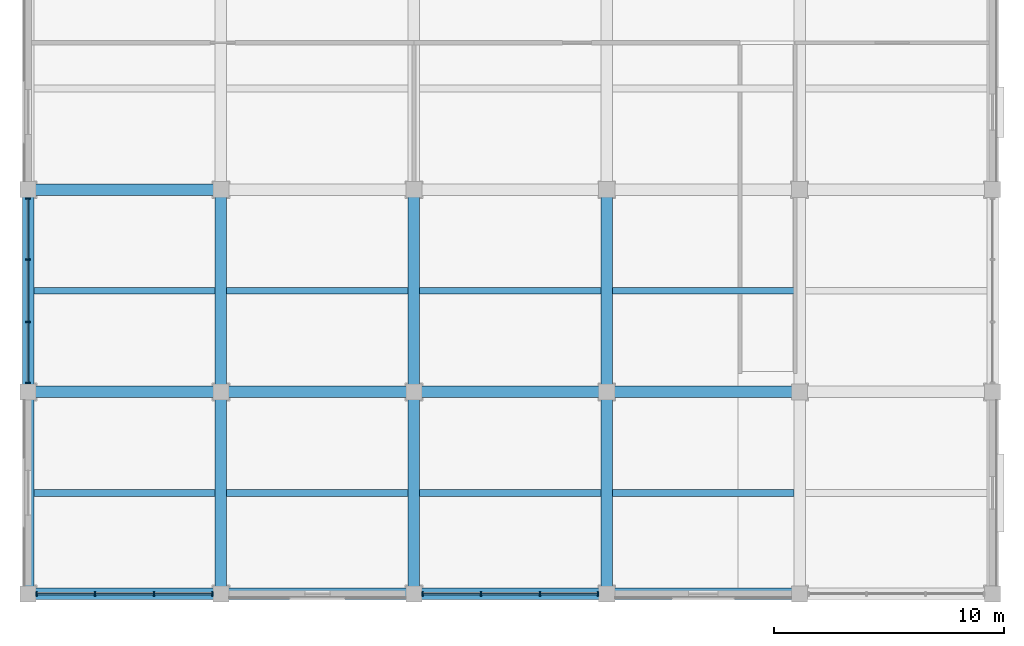
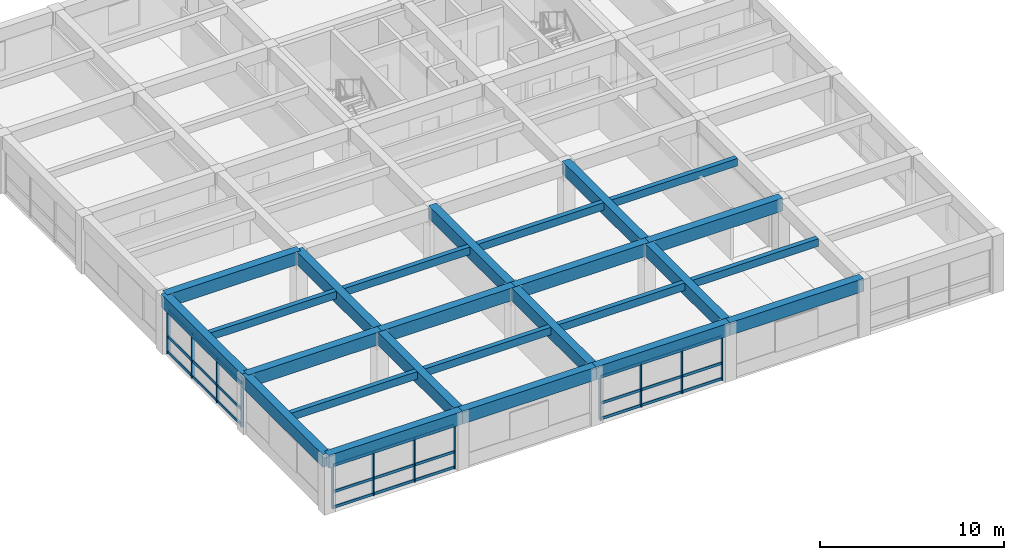
# One storey, part 2 of 12: 39 members, 25 beams, 3 elements without a shape of their own.
"""IFC4 building model written with IfcOpenShell, lengths in metres."""

from ifc_helpers import new_model, si_unit, direction, frame, origin, origin_2d, place, context, subcontext, project, spatial, rectangle, extrude, material, material_profile, profile_set, type_object, element, aggregate, save


model = new_model("IFC4")

# Units and contexts
model_context = context("Model", 3, precision=1e-05, world=origin(), true_north=direction((0.0, 1.0)))
body_context = subcontext(model_context, "Body", "Model", "MODEL_VIEW")
ifc_project = project(units=[si_unit("LENGTHUNIT", "METRE"), si_unit("AREAUNIT", "SQUARE_METRE"), si_unit("VOLUMEUNIT", "CUBIC_METRE"), si_unit("PLANEANGLEUNIT", "RADIAN"), si_unit("MASSUNIT", "GRAM", prefix="KILO")], contexts=[model_context])

# Site, building, storey
site_placement = place(None, origin())
site = spatial("IfcSite", under=ifc_project, at=site_placement, CompositionType="ELEMENT")
building_placement = place(site_placement, origin())
building = spatial("IfcBuilding", under=site, at=building_placement, Name="Kemercrest Conservatory and Botanical Centre", CompositionType="ELEMENT")
storey_placement = place(building_placement, frame((0.0, 0.0, 21.0)))
storey = spatial("IfcBuildingStorey", under=building, at=storey_placement, Name="L05", CompositionType="ELEMENT", Elevation=21.0)

# Beams
ifc_material_1 = material(Name="Concrete C50/60", Category="concrete")
ifc_material_profile_1 = material_profile(ifc_material_1, rectangle(XDim=0.5, YDim=0.85009765625, at=origin_2d()), Name="RC 500x850")
ifc_profile_set_1 = profile_set([ifc_material_profile_1], Name="Concrete C50/60")
beam_type_1 = type_object("IfcBeamType", Name="BM-RC85", PredefinedType="BEAM", material=ifc_profile_set_1)
beam_1_placement = place(storey_placement, frame((134.0, 87.199951171875, 3.375), z_axis=(1.0, 0.0, 0.0), x_axis=(0.0, 1.0, 0.0)))
element("IfcBeam", 1, at=beam_1_placement, inside=storey, type_object=beam_type_1, Name="V4-L06 beam BM-RC85 K/16-17", PredefinedType="BEAM", context=body_context, shape_type="SweptSolid", body=[
    extrude(rectangle(XDim=0.5, YDim=0.85009765625, at=origin_2d()), origin(), (0.0, 0.0, 1.0), 8.39990234375),
])
beam_2_placement = place(storey_placement, frame((142.39990234375, 87.199951171875, 3.375), z_axis=(1.0, 0.0, 0.0), x_axis=(0.0, 1.0, 0.0)))
element("IfcBeam", 2, at=beam_2_placement, inside=storey, type_object=beam_type_1, Name="V4-L06 beam BM-RC85 K/17-18", PredefinedType="BEAM", context=body_context, shape_type="SweptSolid", body=[
    extrude(rectangle(XDim=0.5, YDim=0.85009765625, at=origin_2d()), origin(), (0.0, 0.0, 1.0), 8.400146484375),
])
beam_3_placement = place(storey_placement, frame((150.800048828125, 87.199951171875, 3.375), z_axis=(1.0, 0.0, 0.0), x_axis=(0.0, 1.0, 0.0)))
element("IfcBeam", 3, at=beam_3_placement, inside=storey, type_object=beam_type_1, Name="V4-L06 beam BM-RC85 K/18-19", PredefinedType="BEAM", context=body_context, shape_type="SweptSolid", body=[
    extrude(rectangle(XDim=0.5, YDim=0.85009765625, at=origin_2d()), origin(), (0.0, 0.0, 1.0), 8.39990234375),
])
beam_4_placement = place(storey_placement, frame((159.199951171875, 87.199951171875, 3.375), z_axis=(1.0, 0.0, 0.0), x_axis=(0.0, 1.0, 0.0)))
element("IfcBeam", 4, at=beam_4_placement, inside=storey, type_object=beam_type_1, Name="V4-L06 beam BM-RC85 K/19-20", PredefinedType="BEAM", context=body_context, shape_type="SweptSolid", body=[
    extrude(rectangle(XDim=0.5, YDim=0.85009765625, at=origin_2d()), origin(), (0.0, 0.0, 1.0), 8.400146484375),
])
beam_5_placement = place(storey_placement, frame((134.0, 96.0, 3.375), z_axis=(1.0, 0.0, 0.0), x_axis=(0.0, 1.0, 0.0)))
element("IfcBeam", 5, at=beam_5_placement, inside=storey, type_object=beam_type_1, Name="V4-L06 beam BM-RC85 L/16-17", PredefinedType="BEAM", context=body_context, shape_type="SweptSolid", body=[
    extrude(rectangle(XDim=0.5, YDim=0.85009765625, at=origin_2d()), origin(), (0.0, 0.0, 1.0), 8.39990234375),
])
for number, where, z_axis, x_axis, name in (
    (6, (142.39990234375, 78.39990234375, 3.375), (0.0, 1.0, 0.0), (-1.0, 0.0, 0.0), "V4-L06 beam BM-RC85 17/J-K"),
    (7, (142.39990234375, 87.199951171875, 3.375), (0.0, 1.0, 0.0), (-1.0, 0.0, 0.0), "V4-L06 beam BM-RC85 17/K-L"),
    (8, (150.800048828125, 78.39990234375, 3.375), (0.0, 1.0, 0.0), (-1.0, 0.0, 0.0), "V4-L06 beam BM-RC85 18/J-K"),
    (9, (150.800048828125, 87.199951171875, 3.375), (0.0, 1.0, 0.0), (-1.0, 0.0, 0.0), "V4-L06 beam BM-RC85 18/K-L"),
    (10, (159.199951171875, 78.39990234375, 3.375), (0.0, 1.0, 0.0), (-1.0, 0.0, 0.0), "V4-L06 beam BM-RC85 19/J-K"),
    (11, (159.199951171875, 87.199951171875, 3.375), (0.0, 1.0, 0.0), (-1.0, 0.0, 0.0), "V4-L06 beam BM-RC85 19/K-L"),
):
    element("IfcBeam", number, at=place(storey_placement, frame(where, z_axis=z_axis, x_axis=x_axis)), inside=storey, type_object=beam_type_1, Name=name, PredefinedType="BEAM", context=body_context, shape_type="SweptSolid", body=[
        extrude(rectangle(XDim=0.5, YDim=0.85009765625, at=origin_2d()), origin(), (0.0, 0.0, 1.0), 8.800048828125),
    ])

# Curtain wall, members
ifc_material_2 = material(Name="Thermally broken aluminium and triple low-e glazing", Category="aluminium")
curtain_wall_type_1 = type_object("IfcCurtainWallType", Name="CW-16", PredefinedType="USERDEFINED", material=ifc_material_2)
curtain_wall_1_placement = place(storey_placement, origin())
curtain_wall_1 = element("IfcCurtainWall", 12, at=curtain_wall_1_placement, inside=storey, type_object=curtain_wall_type_1, Name="Unitised curtain wall CW-16 (CW:L05:V4-075)", ObjectType="UNITISED CURTAIN WALL", PredefinedType="USERDEFINED")
ifc_material_3 = material(Name="Thermally broken anodized aluminium 6063-T6", Category="aluminium")
ifc_material_profile_2 = material_profile(ifc_material_3, rectangle(XDim=0.199951171875, YDim=0.06494140625, at=origin_2d()), Name="AL MULLION 65x200")
ifc_profile_set_2 = profile_set([ifc_material_profile_2], Name="Thermally broken anodized aluminium 6063-T6")
member_type_1 = type_object("IfcMemberType", Name="CW-M200", PredefinedType="MULLION", material=ifc_profile_set_2)
member_1_placement = place(storey_placement, frame((134.37744140625, 78.39990234375, 0.0), z_axis=(0.0, 0.0, 1.0), x_axis=(0.0, 1.0, 0.0)))
member_1 = element("IfcMember", 13, at=member_1_placement, type_object=member_type_1, Name="CW-16 mullion 1", PredefinedType="MULLION", context=body_context, shape_type="SweptSolid", body=[
    extrude(rectangle(XDim=0.199951171875, YDim=0.06494140625, at=origin_2d()), origin(), (0.0, 0.0, 1.0), 2.955078125),
])
member_2_placement = place(storey_placement, frame((136.9150390625, 78.39990234375, 0.0), z_axis=(0.0, 0.0, 1.0), x_axis=(0.0, 1.0, 0.0)))
member_2 = element("IfcMember", 14, at=member_2_placement, type_object=member_type_1, Name="CW-16 mullion 2", PredefinedType="MULLION", context=body_context, shape_type="SweptSolid", body=[
    extrude(rectangle(XDim=0.199951171875, YDim=0.06494140625, at=origin_2d()), origin(), (0.0, 0.0, 1.0), 2.955078125),
])
member_3_placement = place(storey_placement, frame((139.485107421875, 78.39990234375, 0.0), z_axis=(0.0, 0.0, 1.0), x_axis=(0.0, 1.0, 0.0)))
member_3 = element("IfcMember", 15, at=member_3_placement, type_object=member_type_1, Name="CW-16 mullion 3", PredefinedType="MULLION", context=body_context, shape_type="SweptSolid", body=[
    extrude(rectangle(XDim=0.199951171875, YDim=0.06494140625, at=origin_2d()), origin(), (0.0, 0.0, 1.0), 2.955078125),
])
member_4_placement = place(storey_placement, frame((142.0224609375, 78.39990234375, 0.0), z_axis=(0.0, 0.0, 1.0), x_axis=(0.0, 1.0, 0.0)))
member_4 = element("IfcMember", 16, at=member_4_placement, type_object=member_type_1, Name="CW-16 mullion 4", PredefinedType="MULLION", context=body_context, shape_type="SweptSolid", body=[
    extrude(rectangle(XDim=0.199951171875, YDim=0.06494140625, at=origin_2d()), origin(), (0.0, 0.0, 1.0), 2.955078125),
])

curtain_wall_type_2 = type_object("IfcCurtainWallType", Name="CW-17", PredefinedType="USERDEFINED", material=ifc_material_2)
curtain_wall_2_placement = place(storey_placement, origin())
curtain_wall_2 = element("IfcCurtainWall", 17, at=curtain_wall_2_placement, inside=storey, type_object=curtain_wall_type_2, Name="Unitised curtain wall CW-17 (CW:L05:V4-076)", ObjectType="UNITISED CURTAIN WALL", PredefinedType="USERDEFINED")
member_5_placement = place(storey_placement, frame((151.177490234375, 78.39990234375, 0.0), z_axis=(0.0, 0.0, 1.0), x_axis=(0.0, 1.0, 0.0)))
member_5 = element("IfcMember", 18, at=member_5_placement, type_object=member_type_1, Name="CW-17 mullion 1", PredefinedType="MULLION", context=body_context, shape_type="SweptSolid", body=[
    extrude(rectangle(XDim=0.199951171875, YDim=0.06494140625, at=origin_2d()), origin(), (0.0, 0.0, 1.0), 2.955078125),
])
member_6_placement = place(storey_placement, frame((153.715087890625, 78.39990234375, 0.0), z_axis=(0.0, 0.0, 1.0), x_axis=(0.0, 1.0, 0.0)))
member_6 = element("IfcMember", 19, at=member_6_placement, type_object=member_type_1, Name="CW-17 mullion 2", PredefinedType="MULLION", context=body_context, shape_type="SweptSolid", body=[
    extrude(rectangle(XDim=0.199951171875, YDim=0.06494140625, at=origin_2d()), origin(), (0.0, 0.0, 1.0), 2.955078125),
])
member_7_placement = place(storey_placement, frame((156.284912109375, 78.39990234375, 0.0), z_axis=(0.0, 0.0, 1.0), x_axis=(0.0, 1.0, 0.0)))
member_7 = element("IfcMember", 20, at=member_7_placement, type_object=member_type_1, Name="CW-17 mullion 3", PredefinedType="MULLION", context=body_context, shape_type="SweptSolid", body=[
    extrude(rectangle(XDim=0.199951171875, YDim=0.06494140625, at=origin_2d()), origin(), (0.0, 0.0, 1.0), 2.955078125),
])
member_8_placement = place(storey_placement, frame((158.822509765625, 78.39990234375, 0.0), z_axis=(0.0, 0.0, 1.0), x_axis=(0.0, 1.0, 0.0)))
member_8 = element("IfcMember", 21, at=member_8_placement, type_object=member_type_1, Name="CW-17 mullion 4", PredefinedType="MULLION", context=body_context, shape_type="SweptSolid", body=[
    extrude(rectangle(XDim=0.199951171875, YDim=0.06494140625, at=origin_2d()), origin(), (0.0, 0.0, 1.0), 2.955078125),
])

curtain_wall_type_3 = type_object("IfcCurtainWallType", Name="CW-22", PredefinedType="USERDEFINED", material=ifc_material_2)
curtain_wall_3_placement = place(storey_placement, origin())
curtain_wall_3 = element("IfcCurtainWall", 22, at=curtain_wall_3_placement, inside=storey, type_object=curtain_wall_type_3, Name="Unitised curtain wall CW-22 (CW:L05:V4-081)", ObjectType="UNITISED CURTAIN WALL", PredefinedType="USERDEFINED")
member_9_placement = place(storey_placement, frame((134.0, 95.62255859375, 0.0), z_axis=(0.0, 0.0, 1.0), x_axis=(1.0, 0.0, 0.0)))
member_9 = element("IfcMember", 23, at=member_9_placement, type_object=member_type_1, Name="CW-22 mullion 1", PredefinedType="MULLION", context=body_context, shape_type="SweptSolid", body=[
    extrude(rectangle(XDim=0.199951171875, YDim=0.06494140625, at=origin_2d()), origin(), (0.0, 0.0, 1.0), 2.955078125),
])
member_10_placement = place(storey_placement, frame((134.0, 92.95166015625, 0.0), z_axis=(0.0, 0.0, 1.0), x_axis=(1.0, 0.0, 0.0)))
member_10 = element("IfcMember", 24, at=member_10_placement, type_object=member_type_1, Name="CW-22 mullion 2", PredefinedType="MULLION", context=body_context, shape_type="SweptSolid", body=[
    extrude(rectangle(XDim=0.199951171875, YDim=0.06494140625, at=origin_2d()), origin(), (0.0, 0.0, 1.0), 2.955078125),
])
member_11_placement = place(storey_placement, frame((134.0, 90.248291015625, 0.0), z_axis=(0.0, 0.0, 1.0), x_axis=(1.0, 0.0, 0.0)))
member_11 = element("IfcMember", 25, at=member_11_placement, type_object=member_type_1, Name="CW-22 mullion 3", PredefinedType="MULLION", context=body_context, shape_type="SweptSolid", body=[
    extrude(rectangle(XDim=0.199951171875, YDim=0.06494140625, at=origin_2d()), origin(), (0.0, 0.0, 1.0), 2.955078125),
])
member_12_placement = place(storey_placement, frame((134.0, 87.577392578125, 0.0), z_axis=(0.0, 0.0, 1.0), x_axis=(1.0, 0.0, 0.0)))
member_12 = element("IfcMember", 26, at=member_12_placement, type_object=member_type_1, Name="CW-22 mullion 4", PredefinedType="MULLION", context=body_context, shape_type="SweptSolid", body=[
    extrude(rectangle(XDim=0.199951171875, YDim=0.06494140625, at=origin_2d()), origin(), (0.0, 0.0, 1.0), 2.955078125),
])

# Member
ifc_material_profile_3 = material_profile(ifc_material_3, rectangle(XDim=0.074951171875, YDim=0.179931640625, at=origin_2d()), Name="AL TRANSOM 75x180")
ifc_profile_set_3 = profile_set([ifc_material_profile_3], Name="Thermally broken anodized aluminium 6063-T6")
member_type_2 = type_object("IfcMemberType", Name="CW-T180", PredefinedType="USERDEFINED", material=ifc_profile_set_3)
member_13_placement = place(storey_placement, frame((134.409912109375, 78.39990234375, 0.090087890625), z_axis=(1.0, 0.0, 0.0), x_axis=(0.0, 1.0, 0.0)))
member_13 = element("IfcMember", 27, at=member_13_placement, type_object=member_type_2, Name="CW-16 transom 1.1", ObjectType="TRANSOM", PredefinedType="USERDEFINED", context=body_context, shape_type="SweptSolid", body=[
    extrude(rectangle(XDim=0.074951171875, YDim=0.179931640625, at=origin_2d()), origin(), (0.0, 0.0, 1.0), 2.47265625),
])

member_14_placement = place(storey_placement, frame((134.409912109375, 78.39990234375, 1.1201171875), z_axis=(1.0, 0.0, 0.0), x_axis=(0.0, 1.0, 0.0)))
member_14 = element("IfcMember", 28, at=member_14_placement, type_object=member_type_2, Name="CW-16 transom 1.2", ObjectType="TRANSOM", PredefinedType="USERDEFINED", context=body_context, shape_type="SweptSolid", body=[
    extrude(rectangle(XDim=0.074951171875, YDim=0.179931640625, at=origin_2d()), origin(), (0.0, 0.0, 1.0), 2.47265625),
])

member_15_placement = place(storey_placement, frame((134.409912109375, 78.39990234375, 2.864990234375), z_axis=(1.0, 0.0, 0.0), x_axis=(0.0, 1.0, 0.0)))
member_15 = element("IfcMember", 29, at=member_15_placement, type_object=member_type_2, Name="CW-16 transom 1.3", ObjectType="TRANSOM", PredefinedType="USERDEFINED", context=body_context, shape_type="SweptSolid", body=[
    extrude(rectangle(XDim=0.074951171875, YDim=0.179931640625, at=origin_2d()), origin(), (0.0, 0.0, 1.0), 2.47265625),
])

member_16_placement = place(storey_placement, frame((136.947509765625, 78.39990234375, 0.090087890625), z_axis=(1.0, 0.0, 0.0), x_axis=(0.0, 1.0, 0.0)))
member_16 = element("IfcMember", 30, at=member_16_placement, type_object=member_type_2, Name="CW-16 transom 2.1", ObjectType="TRANSOM", PredefinedType="USERDEFINED", context=body_context, shape_type="SweptSolid", body=[
    extrude(rectangle(XDim=0.074951171875, YDim=0.179931640625, at=origin_2d()), origin(), (0.0, 0.0, 1.0), 2.5048828125),
])

member_17_placement = place(storey_placement, frame((136.947509765625, 78.39990234375, 1.1201171875), z_axis=(1.0, 0.0, 0.0), x_axis=(0.0, 1.0, 0.0)))
member_17 = element("IfcMember", 31, at=member_17_placement, type_object=member_type_2, Name="CW-16 transom 2.2", ObjectType="TRANSOM", PredefinedType="USERDEFINED", context=body_context, shape_type="SweptSolid", body=[
    extrude(rectangle(XDim=0.074951171875, YDim=0.179931640625, at=origin_2d()), origin(), (0.0, 0.0, 1.0), 2.5048828125),
])

member_18_placement = place(storey_placement, frame((136.947509765625, 78.39990234375, 2.864990234375), z_axis=(1.0, 0.0, 0.0), x_axis=(0.0, 1.0, 0.0)))
member_18 = element("IfcMember", 32, at=member_18_placement, type_object=member_type_2, Name="CW-16 transom 2.3", ObjectType="TRANSOM", PredefinedType="USERDEFINED", context=body_context, shape_type="SweptSolid", body=[
    extrude(rectangle(XDim=0.074951171875, YDim=0.179931640625, at=origin_2d()), origin(), (0.0, 0.0, 1.0), 2.5048828125),
])

member_19_placement = place(storey_placement, frame((139.517578125, 78.39990234375, 0.090087890625), z_axis=(1.0, 0.0, 0.0), x_axis=(0.0, 1.0, 0.0)))
member_19 = element("IfcMember", 33, at=member_19_placement, type_object=member_type_2, Name="CW-16 transom 3.1", ObjectType="TRANSOM", PredefinedType="USERDEFINED", context=body_context, shape_type="SweptSolid", body=[
    extrude(rectangle(XDim=0.074951171875, YDim=0.179931640625, at=origin_2d()), origin(), (0.0, 0.0, 1.0), 2.472412109375),
])

member_20_placement = place(storey_placement, frame((139.517578125, 78.39990234375, 1.1201171875), z_axis=(1.0, 0.0, 0.0), x_axis=(0.0, 1.0, 0.0)))
member_20 = element("IfcMember", 34, at=member_20_placement, type_object=member_type_2, Name="CW-16 transom 3.2", ObjectType="TRANSOM", PredefinedType="USERDEFINED", context=body_context, shape_type="SweptSolid", body=[
    extrude(rectangle(XDim=0.074951171875, YDim=0.179931640625, at=origin_2d()), origin(), (0.0, 0.0, 1.0), 2.472412109375),
])

member_21_placement = place(storey_placement, frame((139.517578125, 78.39990234375, 2.864990234375), z_axis=(1.0, 0.0, 0.0), x_axis=(0.0, 1.0, 0.0)))
member_21 = element("IfcMember", 35, at=member_21_placement, type_object=member_type_2, Name="CW-16 transom 3.3", ObjectType="TRANSOM", PredefinedType="USERDEFINED", context=body_context, shape_type="SweptSolid", body=[
    extrude(rectangle(XDim=0.074951171875, YDim=0.179931640625, at=origin_2d()), origin(), (0.0, 0.0, 1.0), 2.472412109375),
])

aggregate(curtain_wall_1, [member_1, member_2, member_3, member_4, member_13, member_14, member_15, member_16, member_17, member_18, member_19, member_20, member_21])

member_22_placement = place(storey_placement, frame((151.2099609375, 78.39990234375, 0.090087890625), z_axis=(1.0, 0.0, 0.0), x_axis=(0.0, 1.0, 0.0)))
member_22 = element("IfcMember", 36, at=member_22_placement, type_object=member_type_2, Name="CW-17 transom 1.1", ObjectType="TRANSOM", PredefinedType="USERDEFINED", context=body_context, shape_type="SweptSolid", body=[
    extrude(rectangle(XDim=0.074951171875, YDim=0.179931640625, at=origin_2d()), origin(), (0.0, 0.0, 1.0), 2.47265625),
])

member_23_placement = place(storey_placement, frame((151.2099609375, 78.39990234375, 1.1201171875), z_axis=(1.0, 0.0, 0.0), x_axis=(0.0, 1.0, 0.0)))
member_23 = element("IfcMember", 37, at=member_23_placement, type_object=member_type_2, Name="CW-17 transom 1.2", ObjectType="TRANSOM", PredefinedType="USERDEFINED", context=body_context, shape_type="SweptSolid", body=[
    extrude(rectangle(XDim=0.074951171875, YDim=0.179931640625, at=origin_2d()), origin(), (0.0, 0.0, 1.0), 2.47265625),
])

member_24_placement = place(storey_placement, frame((151.2099609375, 78.39990234375, 2.864990234375), z_axis=(1.0, 0.0, 0.0), x_axis=(0.0, 1.0, 0.0)))
member_24 = element("IfcMember", 38, at=member_24_placement, type_object=member_type_2, Name="CW-17 transom 1.3", ObjectType="TRANSOM", PredefinedType="USERDEFINED", context=body_context, shape_type="SweptSolid", body=[
    extrude(rectangle(XDim=0.074951171875, YDim=0.179931640625, at=origin_2d()), origin(), (0.0, 0.0, 1.0), 2.47265625),
])

member_25_placement = place(storey_placement, frame((153.74755859375, 78.39990234375, 0.090087890625), z_axis=(1.0, 0.0, 0.0), x_axis=(0.0, 1.0, 0.0)))
member_25 = element("IfcMember", 39, at=member_25_placement, type_object=member_type_2, Name="CW-17 transom 2.1", ObjectType="TRANSOM", PredefinedType="USERDEFINED", context=body_context, shape_type="SweptSolid", body=[
    extrude(rectangle(XDim=0.074951171875, YDim=0.179931640625, at=origin_2d()), origin(), (0.0, 0.0, 1.0), 2.5048828125),
])

member_26_placement = place(storey_placement, frame((153.74755859375, 78.39990234375, 1.1201171875), z_axis=(1.0, 0.0, 0.0), x_axis=(0.0, 1.0, 0.0)))
member_26 = element("IfcMember", 40, at=member_26_placement, type_object=member_type_2, Name="CW-17 transom 2.2", ObjectType="TRANSOM", PredefinedType="USERDEFINED", context=body_context, shape_type="SweptSolid", body=[
    extrude(rectangle(XDim=0.074951171875, YDim=0.179931640625, at=origin_2d()), origin(), (0.0, 0.0, 1.0), 2.5048828125),
])

member_27_placement = place(storey_placement, frame((153.74755859375, 78.39990234375, 2.864990234375), z_axis=(1.0, 0.0, 0.0), x_axis=(0.0, 1.0, 0.0)))
member_27 = element("IfcMember", 41, at=member_27_placement, type_object=member_type_2, Name="CW-17 transom 2.3", ObjectType="TRANSOM", PredefinedType="USERDEFINED", context=body_context, shape_type="SweptSolid", body=[
    extrude(rectangle(XDim=0.074951171875, YDim=0.179931640625, at=origin_2d()), origin(), (0.0, 0.0, 1.0), 2.5048828125),
])

member_28_placement = place(storey_placement, frame((156.3173828125, 78.39990234375, 0.090087890625), z_axis=(1.0, 0.0, 0.0), x_axis=(0.0, 1.0, 0.0)))
member_28 = element("IfcMember", 42, at=member_28_placement, type_object=member_type_2, Name="CW-17 transom 3.1", ObjectType="TRANSOM", PredefinedType="USERDEFINED", context=body_context, shape_type="SweptSolid", body=[
    extrude(rectangle(XDim=0.074951171875, YDim=0.179931640625, at=origin_2d()), origin(), (0.0, 0.0, 1.0), 2.47265625),
])

member_29_placement = place(storey_placement, frame((156.3173828125, 78.39990234375, 1.1201171875), z_axis=(1.0, 0.0, 0.0), x_axis=(0.0, 1.0, 0.0)))
member_29 = element("IfcMember", 43, at=member_29_placement, type_object=member_type_2, Name="CW-17 transom 3.2", ObjectType="TRANSOM", PredefinedType="USERDEFINED", context=body_context, shape_type="SweptSolid", body=[
    extrude(rectangle(XDim=0.074951171875, YDim=0.179931640625, at=origin_2d()), origin(), (0.0, 0.0, 1.0), 2.47265625),
])

member_30_placement = place(storey_placement, frame((156.3173828125, 78.39990234375, 2.864990234375), z_axis=(1.0, 0.0, 0.0), x_axis=(0.0, 1.0, 0.0)))
member_30 = element("IfcMember", 44, at=member_30_placement, type_object=member_type_2, Name="CW-17 transom 3.3", ObjectType="TRANSOM", PredefinedType="USERDEFINED", context=body_context, shape_type="SweptSolid", body=[
    extrude(rectangle(XDim=0.074951171875, YDim=0.179931640625, at=origin_2d()), origin(), (0.0, 0.0, 1.0), 2.47265625),
])

aggregate(curtain_wall_2, [member_5, member_6, member_7, member_8, member_22, member_23, member_24, member_25, member_26, member_27, member_28, member_29, member_30])

member_31_placement = place(storey_placement, frame((134.0, 95.590087890625, 0.090087890625), z_axis=(0.0, -1.0, 0.0), x_axis=(1.0, 0.0, 0.0)))
member_31 = element("IfcMember", 45, at=member_31_placement, type_object=member_type_2, Name="CW-22 transom 1.1", ObjectType="TRANSOM", PredefinedType="USERDEFINED", context=body_context, shape_type="SweptSolid", body=[
    extrude(rectangle(XDim=0.074951171875, YDim=0.179931640625, at=origin_2d()), origin(), (0.0, 0.0, 1.0), 2.60595703125),
])

member_32_placement = place(storey_placement, frame((134.0, 95.590087890625, 1.1201171875), z_axis=(0.0, -1.0, 0.0), x_axis=(1.0, 0.0, 0.0)))
member_32 = element("IfcMember", 46, at=member_32_placement, type_object=member_type_2, Name="CW-22 transom 1.2", ObjectType="TRANSOM", PredefinedType="USERDEFINED", context=body_context, shape_type="SweptSolid", body=[
    extrude(rectangle(XDim=0.074951171875, YDim=0.179931640625, at=origin_2d()), origin(), (0.0, 0.0, 1.0), 2.60595703125),
])

member_33_placement = place(storey_placement, frame((134.0, 95.590087890625, 2.864990234375), z_axis=(0.0, -1.0, 0.0), x_axis=(1.0, 0.0, 0.0)))
member_33 = element("IfcMember", 47, at=member_33_placement, type_object=member_type_2, Name="CW-22 transom 1.3", ObjectType="TRANSOM", PredefinedType="USERDEFINED", context=body_context, shape_type="SweptSolid", body=[
    extrude(rectangle(XDim=0.074951171875, YDim=0.179931640625, at=origin_2d()), origin(), (0.0, 0.0, 1.0), 2.60595703125),
])

member_34_placement = place(storey_placement, frame((134.0, 92.919189453125, 0.090087890625), z_axis=(0.0, -1.0, 0.0), x_axis=(1.0, 0.0, 0.0)))
member_34 = element("IfcMember", 48, at=member_34_placement, type_object=member_type_2, Name="CW-22 transom 2.1", ObjectType="TRANSOM", PredefinedType="USERDEFINED", context=body_context, shape_type="SweptSolid", body=[
    extrude(rectangle(XDim=0.074951171875, YDim=0.179931640625, at=origin_2d()), origin(), (0.0, 0.0, 1.0), 2.638427734375),
])

member_35_placement = place(storey_placement, frame((134.0, 92.919189453125, 1.1201171875), z_axis=(0.0, -1.0, 0.0), x_axis=(1.0, 0.0, 0.0)))
member_35 = element("IfcMember", 49, at=member_35_placement, type_object=member_type_2, Name="CW-22 transom 2.2", ObjectType="TRANSOM", PredefinedType="USERDEFINED", context=body_context, shape_type="SweptSolid", body=[
    extrude(rectangle(XDim=0.074951171875, YDim=0.179931640625, at=origin_2d()), origin(), (0.0, 0.0, 1.0), 2.638427734375),
])

member_36_placement = place(storey_placement, frame((134.0, 92.919189453125, 2.864990234375), z_axis=(0.0, -1.0, 0.0), x_axis=(1.0, 0.0, 0.0)))
member_36 = element("IfcMember", 50, at=member_36_placement, type_object=member_type_2, Name="CW-22 transom 2.3", ObjectType="TRANSOM", PredefinedType="USERDEFINED", context=body_context, shape_type="SweptSolid", body=[
    extrude(rectangle(XDim=0.074951171875, YDim=0.179931640625, at=origin_2d()), origin(), (0.0, 0.0, 1.0), 2.638427734375),
])

member_37_placement = place(storey_placement, frame((134.0, 90.2158203125, 0.090087890625), z_axis=(0.0, -1.0, 0.0), x_axis=(1.0, 0.0, 0.0)))
member_37 = element("IfcMember", 51, at=member_37_placement, type_object=member_type_2, Name="CW-22 transom 3.1", ObjectType="TRANSOM", PredefinedType="USERDEFINED", context=body_context, shape_type="SweptSolid", body=[
    extrude(rectangle(XDim=0.074951171875, YDim=0.179931640625, at=origin_2d()), origin(), (0.0, 0.0, 1.0), 2.605712890625),
])

member_38_placement = place(storey_placement, frame((134.0, 90.2158203125, 1.1201171875), z_axis=(0.0, -1.0, 0.0), x_axis=(1.0, 0.0, 0.0)))
member_38 = element("IfcMember", 52, at=member_38_placement, type_object=member_type_2, Name="CW-22 transom 3.2", ObjectType="TRANSOM", PredefinedType="USERDEFINED", context=body_context, shape_type="SweptSolid", body=[
    extrude(rectangle(XDim=0.074951171875, YDim=0.179931640625, at=origin_2d()), origin(), (0.0, 0.0, 1.0), 2.605712890625),
])

member_39_placement = place(storey_placement, frame((134.0, 90.2158203125, 2.864990234375), z_axis=(0.0, -1.0, 0.0), x_axis=(1.0, 0.0, 0.0)))
member_39 = element("IfcMember", 53, at=member_39_placement, type_object=member_type_2, Name="CW-22 transom 3.3", ObjectType="TRANSOM", PredefinedType="USERDEFINED", context=body_context, shape_type="SweptSolid", body=[
    extrude(rectangle(XDim=0.074951171875, YDim=0.179931640625, at=origin_2d()), origin(), (0.0, 0.0, 1.0), 2.605712890625),
])

aggregate(curtain_wall_3, [member_9, member_10, member_11, member_12, member_31, member_32, member_33, member_34, member_35, member_36, member_37, member_38, member_39])

# Beams
ifc_material_4 = material(Name="Concrete C40/50", Category="concrete")
ifc_material_profile_4 = material_profile(ifc_material_4, rectangle(XDim=0.300048828125, YDim=0.5, at=origin_2d()), Name="RC 300x500")
ifc_profile_set_4 = profile_set([ifc_material_profile_4], Name="Concrete C40/50")
beam_type_2 = type_object("IfcBeamType", Name="JS-RC50", PredefinedType="JOIST", material=ifc_profile_set_4)
beam_6_placement = place(storey_placement, frame((134.25, 82.800048828125, 3.550048828125), z_axis=(1.0, 0.0, 0.0), x_axis=(0.0, 1.0, 0.0)))
element("IfcBeam", 54, at=beam_6_placement, inside=storey, type_object=beam_type_2, Name="V4-L06 secondary joist JS-RC50", PredefinedType="JOIST", context=body_context, shape_type="SweptSolid", body=[
    extrude(rectangle(XDim=0.300048828125, YDim=0.5, at=origin_2d()), origin(), (0.0, 0.0, 1.0), 7.89990234375),
])
beam_7_placement = place(storey_placement, frame((142.64990234375, 82.800048828125, 3.550048828125), z_axis=(1.0, 0.0, 0.0), x_axis=(0.0, 1.0, 0.0)))
element("IfcBeam", 55, at=beam_7_placement, inside=storey, type_object=beam_type_2, Name="V4-L06 secondary joist JS-RC50", PredefinedType="JOIST", context=body_context, shape_type="SweptSolid", body=[
    extrude(rectangle(XDim=0.300048828125, YDim=0.5, at=origin_2d()), origin(), (0.0, 0.0, 1.0), 7.900146484375),
])
beam_8_placement = place(storey_placement, frame((151.050048828125, 82.800048828125, 3.550048828125), z_axis=(1.0, 0.0, 0.0), x_axis=(0.0, 1.0, 0.0)))
element("IfcBeam", 56, at=beam_8_placement, inside=storey, type_object=beam_type_2, Name="V4-L06 secondary joist JS-RC50", PredefinedType="JOIST", context=body_context, shape_type="SweptSolid", body=[
    extrude(rectangle(XDim=0.300048828125, YDim=0.5, at=origin_2d()), origin(), (0.0, 0.0, 1.0), 7.89990234375),
])
beam_9_placement = place(storey_placement, frame((159.449951171875, 82.800048828125, 3.550048828125), z_axis=(1.0, 0.0, 0.0), x_axis=(0.0, 1.0, 0.0)))
element("IfcBeam", 57, at=beam_9_placement, inside=storey, type_object=beam_type_2, Name="V4-L06 secondary joist JS-RC50", PredefinedType="JOIST", context=body_context, shape_type="SweptSolid", body=[
    extrude(rectangle(XDim=0.300048828125, YDim=0.5, at=origin_2d()), origin(), (0.0, 0.0, 1.0), 7.900146484375),
])
beam_10_placement = place(storey_placement, frame((134.25, 91.60009765625, 3.550048828125), z_axis=(1.0, 0.0, 0.0), x_axis=(0.0, 1.0, 0.0)))
element("IfcBeam", 58, at=beam_10_placement, inside=storey, type_object=beam_type_2, Name="V4-L06 secondary joist JS-RC50", PredefinedType="JOIST", context=body_context, shape_type="SweptSolid", body=[
    extrude(rectangle(XDim=0.300048828125, YDim=0.5, at=origin_2d()), origin(), (0.0, 0.0, 1.0), 7.89990234375),
])
beam_11_placement = place(storey_placement, frame((142.64990234375, 91.60009765625, 3.550048828125), z_axis=(1.0, 0.0, 0.0), x_axis=(0.0, 1.0, 0.0)))
element("IfcBeam", 59, at=beam_11_placement, inside=storey, type_object=beam_type_2, Name="V4-L06 secondary joist JS-RC50", PredefinedType="JOIST", context=body_context, shape_type="SweptSolid", body=[
    extrude(rectangle(XDim=0.300048828125, YDim=0.5, at=origin_2d()), origin(), (0.0, 0.0, 1.0), 7.900146484375),
])
beam_12_placement = place(storey_placement, frame((151.050048828125, 91.60009765625, 3.550048828125), z_axis=(1.0, 0.0, 0.0), x_axis=(0.0, 1.0, 0.0)))
element("IfcBeam", 60, at=beam_12_placement, inside=storey, type_object=beam_type_2, Name="V4-L06 secondary joist JS-RC50", PredefinedType="JOIST", context=body_context, shape_type="SweptSolid", body=[
    extrude(rectangle(XDim=0.300048828125, YDim=0.5, at=origin_2d()), origin(), (0.0, 0.0, 1.0), 7.89990234375),
])
beam_13_placement = place(storey_placement, frame((159.449951171875, 91.60009765625, 3.550048828125), z_axis=(1.0, 0.0, 0.0), x_axis=(0.0, 1.0, 0.0)))
element("IfcBeam", 61, at=beam_13_placement, inside=storey, type_object=beam_type_2, Name="V4-L06 secondary joist JS-RC50", PredefinedType="JOIST", context=body_context, shape_type="SweptSolid", body=[
    extrude(rectangle(XDim=0.300048828125, YDim=0.5, at=origin_2d()), origin(), (0.0, 0.0, 1.0), 7.900146484375),
])
ifc_material_profile_5 = material_profile(ifc_material_1, rectangle(XDim=0.5, YDim=0.85009765625, at=origin_2d()), Name="RC 500x850")
ifc_profile_set_5 = profile_set([ifc_material_profile_5], Name="Concrete C50/60")
beam_type_3 = type_object("IfcBeamType", Name="SP-RC85", PredefinedType="SPANDREL", material=ifc_profile_set_5)
beam_14_placement = place(storey_placement, frame((134.0, 78.39990234375, 3.375), z_axis=(1.0, 0.0, 0.0), x_axis=(0.0, 1.0, 0.0)))
element("IfcBeam", 62, at=beam_14_placement, inside=storey, type_object=beam_type_3, Name="V4-L06 beam SP-RC85 J/16-17", PredefinedType="SPANDREL", context=body_context, shape_type="SweptSolid", body=[
    extrude(rectangle(XDim=0.5, YDim=0.85009765625, at=origin_2d()), origin(), (0.0, 0.0, 1.0), 8.39990234375),
])
beam_15_placement = place(storey_placement, frame((142.39990234375, 78.39990234375, 3.375), z_axis=(1.0, 0.0, 0.0), x_axis=(0.0, 1.0, 0.0)))
element("IfcBeam", 63, at=beam_15_placement, inside=storey, type_object=beam_type_3, Name="V4-L06 beam SP-RC85 J/17-18", PredefinedType="SPANDREL", context=body_context, shape_type="SweptSolid", body=[
    extrude(rectangle(XDim=0.5, YDim=0.85009765625, at=origin_2d()), origin(), (0.0, 0.0, 1.0), 8.400146484375),
])
beam_16_placement = place(storey_placement, frame((150.800048828125, 78.39990234375, 3.375), z_axis=(1.0, 0.0, 0.0), x_axis=(0.0, 1.0, 0.0)))
element("IfcBeam", 64, at=beam_16_placement, inside=storey, type_object=beam_type_3, Name="V4-L06 beam SP-RC85 J/18-19", PredefinedType="SPANDREL", context=body_context, shape_type="SweptSolid", body=[
    extrude(rectangle(XDim=0.5, YDim=0.85009765625, at=origin_2d()), origin(), (0.0, 0.0, 1.0), 8.39990234375),
])
beam_17_placement = place(storey_placement, frame((159.199951171875, 78.39990234375, 3.375), z_axis=(1.0, 0.0, 0.0), x_axis=(0.0, 1.0, 0.0)))
element("IfcBeam", 65, at=beam_17_placement, inside=storey, type_object=beam_type_3, Name="V4-L06 beam SP-RC85 J/19-20", PredefinedType="SPANDREL", context=body_context, shape_type="SweptSolid", body=[
    extrude(rectangle(XDim=0.5, YDim=0.85009765625, at=origin_2d()), origin(), (0.0, 0.0, 1.0), 8.400146484375),
])
for number, where, z_axis, x_axis, name in (
    (66, (134.0, 78.39990234375, 3.375), (0.0, 1.0, 0.0), (-1.0, 0.0, 0.0), "V4-L06 beam SP-RC85 16/J-K"),
    (67, (134.0, 87.199951171875, 3.375), (0.0, 1.0, 0.0), (-1.0, 0.0, 0.0), "V4-L06 beam SP-RC85 16/K-L"),
):
    element("IfcBeam", number, at=place(storey_placement, frame(where, z_axis=z_axis, x_axis=x_axis)), inside=storey, type_object=beam_type_3, Name=name, PredefinedType="SPANDREL", context=body_context, shape_type="SweptSolid", body=[
        extrude(rectangle(XDim=0.5, YDim=0.85009765625, at=origin_2d()), origin(), (0.0, 0.0, 1.0), 8.800048828125),
    ])

save(model, "model.ifc")
